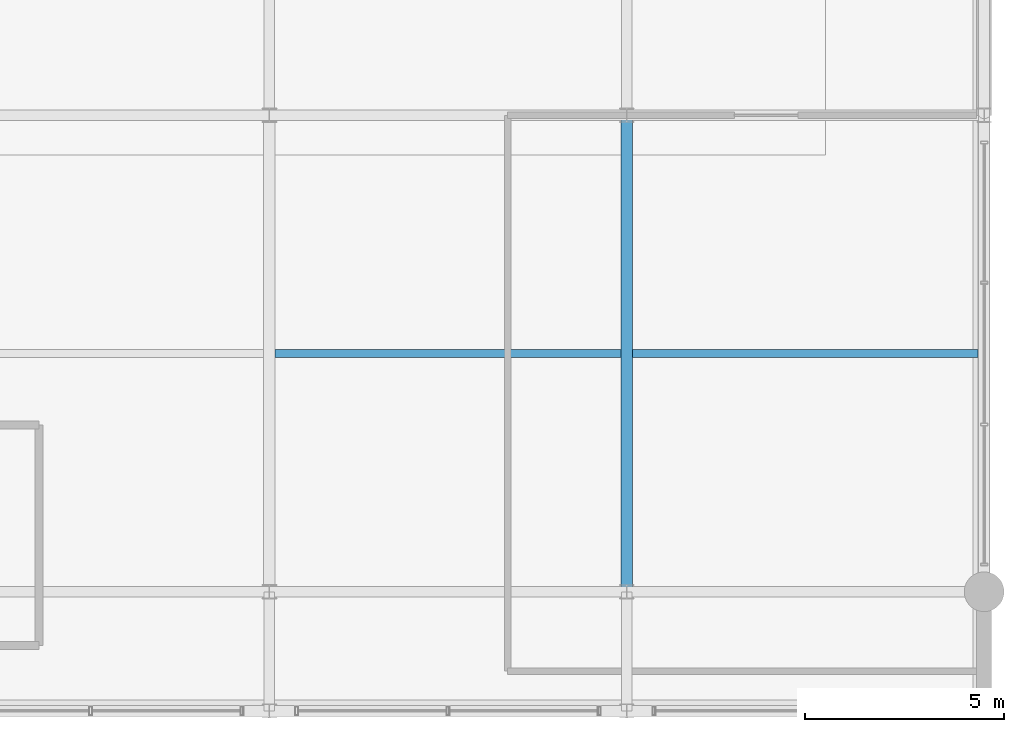
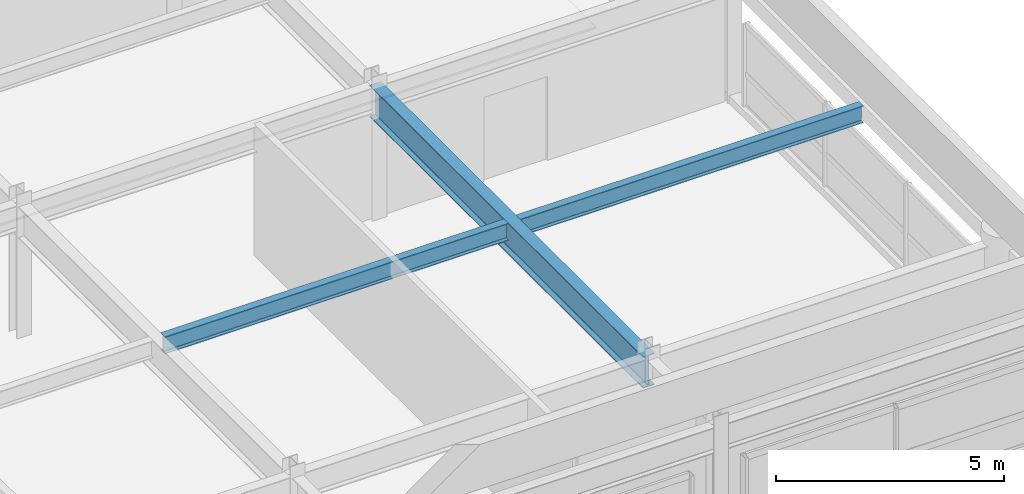
# One storey, part 75 of 108: 3 beams.
"""IFC4 building model written with IfcOpenShell, lengths in metres."""

from ifc_helpers import new_model, si_unit, direction, frame, origin, origin_2d, place, context, subcontext, project, spatial, i_section, extrude, material, material_profile, profile_set, type_object, element, save


model = new_model("IFC4")

# Units and contexts
model_context = context("Model", 3, precision=1e-05, world=origin(), true_north=direction((0.0, 1.0)))
body_context = subcontext(model_context, "Body", "Model", "MODEL_VIEW")
ifc_project = project(units=[si_unit("LENGTHUNIT", "METRE"), si_unit("AREAUNIT", "SQUARE_METRE"), si_unit("VOLUMEUNIT", "CUBIC_METRE"), si_unit("PLANEANGLEUNIT", "RADIAN"), si_unit("MASSUNIT", "GRAM", prefix="KILO")], contexts=[model_context])

# Site, building, storey
site_placement = place(None, origin())
site = spatial("IfcSite", under=ifc_project, at=site_placement, CompositionType="ELEMENT")
building_placement = place(site_placement, origin())
building = spatial("IfcBuilding", under=site, at=building_placement, Name="Kaldorvane Square Convention Centre", CompositionType="ELEMENT")
storey_placement = place(building_placement, frame((0.0, 0.0, 23.399993896484375)))
storey = spatial("IfcBuildingStorey", under=building, at=storey_placement, Name="L04", CompositionType="ELEMENT", Elevation=23.399993896484375)

# Beams
ifc_material = material(Name="Steel ASTM A992 Gr. 50", Category="steel")
ifc_material_profile_1 = material_profile(ifc_material, i_section(OverallWidth=0.292999267578125, OverallDepth=0.845794677734375, WebThickness=0.0153961181640625, FlangeThickness=0.0243988037109375, FilletRadius=0.0178070068359375, at=origin_2d()), Name="W33X141")
ifc_profile_set_1 = profile_set([ifc_material_profile_1], Name="Steel ASTM A992 Gr. 50")
beam_type_1 = type_object("IfcBeamType", Name="BM-GR-W33X141", PredefinedType="BEAM", material=ifc_profile_set_1)
beam_1_placement = place(storey_placement, frame((165.0, 84.0, 3.1031036376953125), z_axis=(0.0, 1.0, 0.0), x_axis=(-1.0, 0.0, 0.0)))
element("IfcBeam", 1, at=beam_1_placement, inside=storey, type_object=beam_type_1, Name="Transverse Girder (L04)", PredefinedType="BEAM", context=body_context, shape_type="SweptSolid", body=[
    extrude(i_section(OverallWidth=0.292999267578125, OverallDepth=0.845794677734375, WebThickness=0.0153961181640625, FlangeThickness=0.0243988037109375, FilletRadius=0.0178070068359375, at=origin_2d()), origin(), (0.0, 0.0, 1.0), 12.0),
])
ifc_material_profile_2 = material_profile(ifc_material, i_section(OverallWidth=0.1912994384765625, OverallDepth=0.4600067138671875, WebThickness=0.0099029541015625, FlangeThickness=0.0160064697265625, FilletRadius=0.01019287109375, at=origin_2d()), Name="W18X55")
ifc_profile_set_2 = profile_set([ifc_material_profile_2], Name="Steel ASTM A992 Gr. 50")
beam_type_2 = type_object("IfcBeamType", Name="BM-JS-W18X55", PredefinedType="JOIST", material=ifc_profile_set_2)
beam_2_placement = place(storey_placement, frame((156.14649963378906, 90.0, 3.2960052490234375), z_axis=(1.0, 0.0, 0.0), x_axis=(0.0, 1.0, 0.0)))
element("IfcBeam", 2, at=beam_2_placement, inside=storey, type_object=beam_type_2, Name="Secondary Floor Joist (L04)", PredefinedType="JOIST", context=body_context, shape_type="SweptSolid", body=[
    extrude(i_section(OverallWidth=0.1912994384765625, OverallDepth=0.4600067138671875, WebThickness=0.0099029541015625, FlangeThickness=0.0160064697265625, FilletRadius=0.01019287109375, at=origin_2d()), origin(), (0.0, 0.0, 1.0), 8.707000732421875),
])
beam_3_placement = place(storey_placement, frame((165.14649963378906, 90.0, 3.2960052490234375), z_axis=(1.0, 0.0, 0.0), x_axis=(0.0, 1.0, 0.0)))
element("IfcBeam", 3, at=beam_3_placement, inside=storey, type_object=beam_type_2, Name="Secondary Floor Joist (L04)", PredefinedType="JOIST", context=body_context, shape_type="SweptSolid", body=[
    extrude(i_section(OverallWidth=0.1912994384765625, OverallDepth=0.4600067138671875, WebThickness=0.0099029541015625, FlangeThickness=0.0160064697265625, FilletRadius=0.01019287109375, at=origin_2d()), origin(), (0.0, 0.0, 1.0), 8.701095581054688),
])

save(model, "model.ifc")
